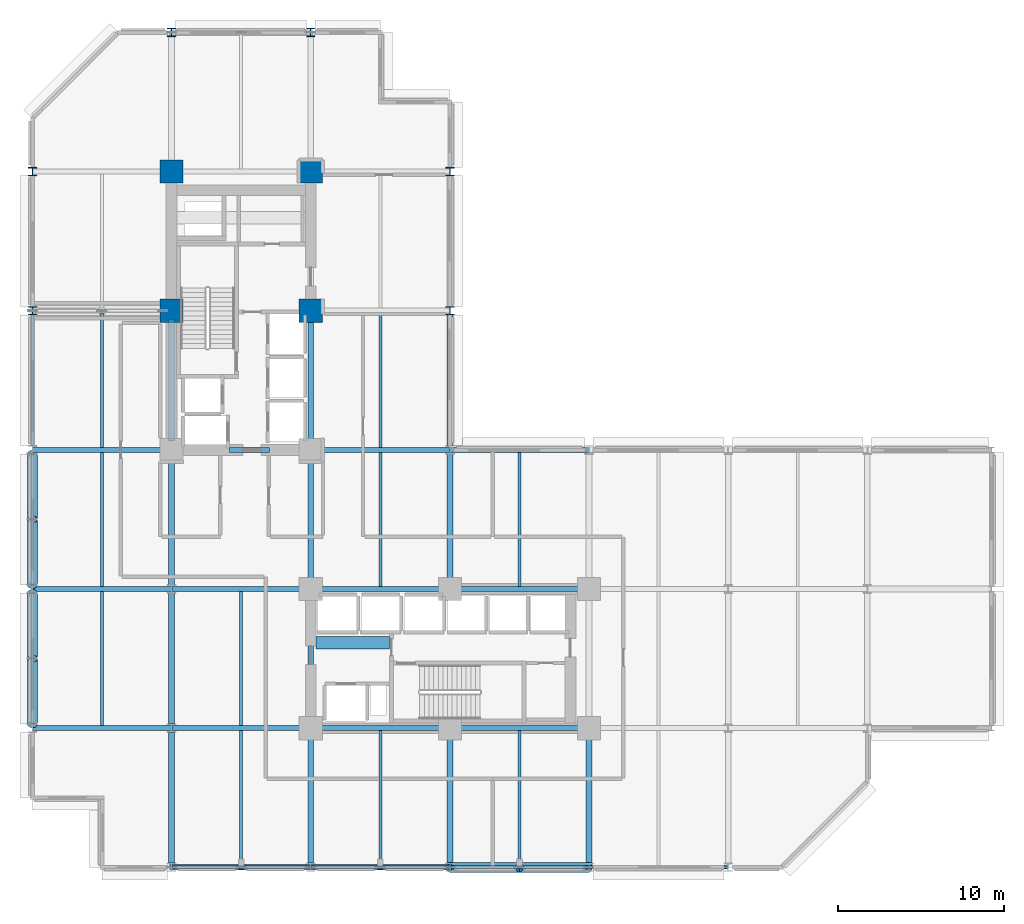
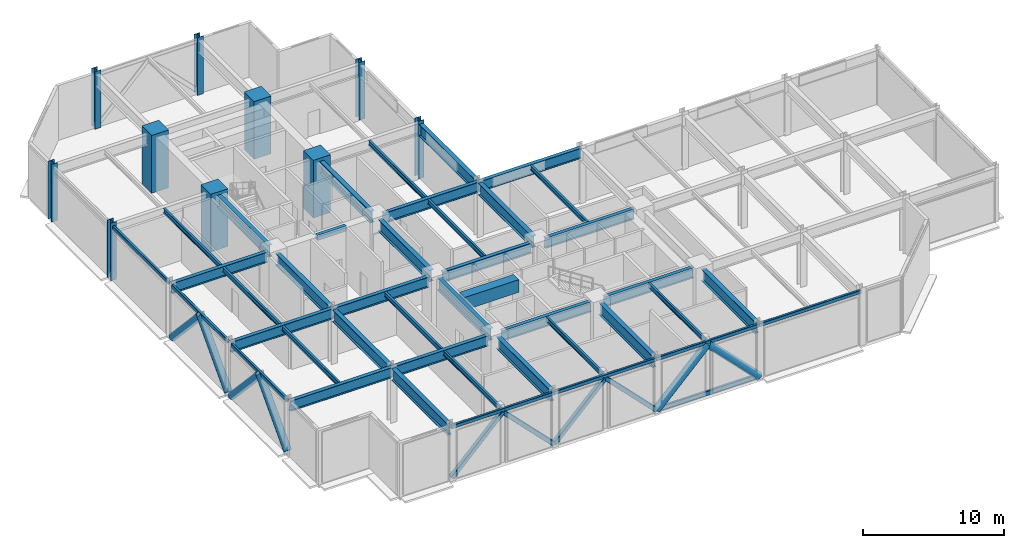
# One storey, part 3 of 13: 42 beams, 11 members, 10 columns.
"""IFC4 building model written with IfcOpenShell, lengths in metres."""

import ifcopenshell
import ifcopenshell.guid

model = None  # the IFC model being written
_history = None  # IfcOwnerHistory: only IFC2X3 demands one
_inside = {}  # id of a spatial element -> (the spatial element, [elements in it])
_under = {}  # id of a project, library or spatial element -> (it, [spatial elements below it])
_declared = {}  # id of a project -> (the project, [libraries it declares])
_typed = {}  # id of a type object -> (the type object, [elements of that type])
_made_of = {}  # id of a material, layer set ... -> (it, [elements and type objects made of it])


def new_model(schema):
    """Start an empty IFC model of exactly this schema.

    Asked for "IFC4X3", IfcOpenShell would pick the latest addendum, in which some entities
    have other attributes; the version numbers below select the first issue.
    IFC2X3 requires an IfcOwnerHistory on every rooted entity: one is made here for all.
    """
    global model, _history
    if schema == "IFC4X3":
        model = ifcopenshell.file(schema_version=(4, 3, 0, 0))
    else:
        model = ifcopenshell.file(schema=schema)
    _inside.clear()
    _under.clear()
    _declared.clear()
    _typed.clear()
    _made_of.clear()
    _history = None
    if model.schema == "IFC2X3":
        org = make("IfcOrganization", Name="unknown")
        user = make(
            "IfcPersonAndOrganization",
            ThePerson=make("IfcPerson", FamilyName="unknown"),
            TheOrganization=org,
        )
        app = make(
            "IfcApplication",
            ApplicationDeveloper=org,
            Version="unknown",
            ApplicationFullName="unknown",
            ApplicationIdentifier="unknown",
        )
        _history = make(
            "IfcOwnerHistory",
            OwningUser=user,
            OwningApplication=app,
            ChangeAction="ADDED",
            CreationDate=0,
        )
    return model


def make(cls, **values):
    """One entity of the class cls with the attributes given. An attribute that is None is left unset."""
    return model.create_entity(
        cls, **{name: value for name, value in values.items() if value is not None}
    )


def rooted(cls, **values):
    """An entity with a GlobalId (a new one), such as an element, a storey or a relation."""
    return make(cls, GlobalId=ifcopenshell.guid.new(), OwnerHistory=_history, **values)


def si_unit(unit_type, name, prefix=None):
    """IfcSIUnit, for example si_unit("LENGTHUNIT", "METRE", prefix="MILLI")."""
    return make("IfcSIUnit", UnitType=unit_type, Prefix=prefix, Name=name)


def assignment(units):
    """IfcUnitAssignment: the units of a project."""
    return None if units is None else make("IfcUnitAssignment", Units=units)


def point(xyz):
    """IfcCartesianPoint."""
    return None if xyz is None else make("IfcCartesianPoint", Coordinates=xyz)


def direction(xyz):
    """IfcDirection."""
    return None if xyz is None else make("IfcDirection", DirectionRatios=xyz)


def frame(location, z_axis=None, x_axis=None):
    """IfcAxis2Placement3D, a coordinate frame: its origin and axes. An axis left out is left unset."""
    return make(
        "IfcAxis2Placement3D",
        Location=point(location),
        Axis=direction(z_axis),
        RefDirection=direction(x_axis),
    )


def frame_2d(location, x_axis=None):
    """IfcAxis2Placement2D, a coordinate frame in the plane: its origin and x axis."""
    return make(
        "IfcAxis2Placement2D", Location=point(location), RefDirection=direction(x_axis)
    )


def origin():
    """The frame at (0, 0, 0) with its axes left unset."""
    return frame((0.0, 0.0, 0.0))


def origin_2d():
    """The frame at (0, 0) in the plane with its x axis left unset."""
    return frame_2d((0.0, 0.0))


def place(relative_to, where):
    """IfcLocalPlacement: puts the frame where relative to a parent placement (None: the world)."""
    return make(
        "IfcLocalPlacement", PlacementRelTo=relative_to, RelativePlacement=where
    )


def context(
    kind, dimensions, precision=None, world=None, true_north=None, identifier=None
):
    """IfcGeometricRepresentationContext, for example the 3D "Model" context."""
    return make(
        "IfcGeometricRepresentationContext",
        ContextIdentifier=identifier,
        ContextType=kind,
        CoordinateSpaceDimension=dimensions,
        Precision=precision,
        WorldCoordinateSystem=world,
        TrueNorth=true_north,
    )


def subcontext(parent, identifier, kind, view, scale=None):
    """IfcGeometricRepresentationSubContext, for example "Body" below "Model"."""
    return make(
        "IfcGeometricRepresentationSubContext",
        ContextIdentifier=identifier,
        ContextType=kind,
        ParentContext=parent,
        TargetScale=scale,
        TargetView=view,
    )


def project(units=None, contexts=None):
    """IfcProject with its units and contexts."""
    return rooted(
        "IfcProject",
        Name="project",
        RepresentationContexts=contexts,
        UnitsInContext=assignment(units),
    )


def spatial(cls, under=None, at=None, **own):
    """A site, building, storey or space (cls), placed at a placement, below another one or the project."""
    s = rooted(cls, ObjectPlacement=at, **own)
    if under is not None:
        _under.setdefault(under.id(), (under, []))[1].append(s)
    return s


def profile(cls, at=None, kind="AREA", **sizes):
    """A parametric profile (cls). Its sizes go by their IFC names, for example OverallWidth=200.0."""
    return make(cls, ProfileType=kind, Position=at, **sizes)


def rectangle(**sizes):
    """IfcRectangleProfileDef."""
    return profile("IfcRectangleProfileDef", **sizes)


def hollow_rectangle(**sizes):
    """IfcRectangleHollowProfileDef."""
    return profile("IfcRectangleHollowProfileDef", **sizes)


def hollow_circle(**sizes):
    """IfcCircleHollowProfileDef."""
    return profile("IfcCircleHollowProfileDef", **sizes)


def i_section(**sizes):
    """IfcIShapeProfileDef."""
    return profile("IfcIShapeProfileDef", **sizes)


def extrude(swept, where, along, depth):
    """IfcExtrudedAreaSolid: the profile swept, set in the frame where, extruded along a direction by depth."""
    return make(
        "IfcExtrudedAreaSolid",
        SweptArea=swept,
        Position=where,
        ExtrudedDirection=direction(along),
        Depth=depth,
    )


def shape(context_of_items, identifier, shape_type, items):
    """IfcShapeRepresentation: the items that make up one representation, for example the "Body"."""
    return make(
        "IfcShapeRepresentation",
        ContextOfItems=context_of_items,
        RepresentationIdentifier=identifier,
        RepresentationType=shape_type,
        Items=items,
    )


def material(Name=None, Category=None):
    """IfcMaterial."""
    return make("IfcMaterial", Name=Name, Category=Category)


def material_profile(
    of_material, cross_section, Name=None, Category=None, Priority=None
):
    """IfcMaterialProfile: a cross section and its material."""
    return make(
        "IfcMaterialProfile",
        Name=Name,
        Material=of_material,
        Profile=cross_section,
        Priority=Priority,
        Category=Category,
    )


def profile_set(profiles, Name=None, composite=None):
    """IfcMaterialProfileSet."""
    return make(
        "IfcMaterialProfileSet",
        Name=Name,
        MaterialProfiles=profiles,
        CompositeProfile=composite,
    )


def made_of(thing, what):
    """Note that an element or type object is made of a material, layer set ...; save() writes the relation."""
    if what is not None:
        _made_of.setdefault(what.id(), (what, []))[1].append(thing)
    return thing


def type_object(cls, material=None, **own):
    """A type object (cls), such as IfcWallType, which elements share."""
    return made_of(rooted(cls, **own), material)


def element(
    cls,
    number,
    at=None,
    inside=None,
    cuts=None,
    type_object=None,
    material=None,
    context=None,
    identifier="Body",
    shape_type=None,
    held_by="IfcProductDefinitionShape",
    body=None,
    shapes=None,
    **own,
):
    """One element of the class cls, such as IfcWall. Its Tag is "e" and its number.

    at: its placement. inside: the storey or other place that contains it. cuts: it is an
    opening in that element (IfcRelVoidsElement). A single representation is given by context,
    identifier, shape_type and body (its items); several are given by shapes. held_by: the class
    of the entity that holds the representations. save() writes the other relations.
    """
    e = rooted(cls, Tag="e%d" % number, ObjectPlacement=at, **own)
    if body is not None:
        shapes = [shape(context, identifier, shape_type, body)]
    if shapes is not None:
        e.Representation = make(held_by, Representations=shapes)
    if inside is not None:
        _inside.setdefault(inside.id(), (inside, []))[1].append(e)
    if cuts is not None:
        rooted(
            "IfcRelVoidsElement", RelatingBuildingElement=cuts, RelatedOpeningElement=e
        )
    if type_object is not None:
        _typed.setdefault(type_object.id(), (type_object, []))[1].append(e)
    return made_of(e, material)


def aggregate(whole, parts):
    """IfcRelAggregates: a whole, such as a stair, and the parts it consists of."""
    return rooted("IfcRelAggregates", RelatingObject=whole, RelatedObjects=parts)


def save(model, path):
    """Write the relations noted so far, then the file.

    IfcRelAggregates (storeys below a building ...), IfcRelContainedInSpatialStructure (elements
    in a storey), IfcRelDefinesByType, IfcRelAssociatesMaterial and IfcRelDeclares: one each for
    every whole, place, type object, material and project.
    """
    for whole, parts in _under.values():
        aggregate(whole, parts)
    for where, things in _inside.values():
        rooted(
            "IfcRelContainedInSpatialStructure",
            RelatedElements=things,
            RelatingStructure=where,
        )
    for kind, things in _typed.values():
        rooted("IfcRelDefinesByType", RelatedObjects=things, RelatingType=kind)
    for what, things in _made_of.values():
        rooted("IfcRelAssociatesMaterial", RelatedObjects=things, RelatingMaterial=what)
    for by, libraries in _declared.values():
        rooted("IfcRelDeclares", RelatingContext=by, RelatedDefinitions=libraries)
    model.write(path)


model = new_model("IFC4")

# Units and contexts
model_context = context("Model", 3, precision=1e-05, world=origin(), true_north=direction((0.0, 1.0)))
body_context = subcontext(model_context, "Body", "Model", "MODEL_VIEW")
ifc_project = project(units=[si_unit("LENGTHUNIT", "METRE"), si_unit("AREAUNIT", "SQUARE_METRE"), si_unit("VOLUMEUNIT", "CUBIC_METRE"), si_unit("PLANEANGLEUNIT", "RADIAN"), si_unit("MASSUNIT", "GRAM", prefix="KILO")], contexts=[model_context])

# Site, building, storey
site_placement = place(None, origin())
site = spatial("IfcSite", under=ifc_project, at=site_placement, CompositionType="ELEMENT")
building_placement = place(site_placement, origin())
building = spatial("IfcBuilding", under=site, at=building_placement, Name="Nerrivon Quay Data Exchange", CompositionType="ELEMENT")
storey_placement = place(building_placement, frame((0.0, 0.0, 79.39990234375)))
storey = spatial("IfcBuildingStorey", under=building, at=storey_placement, Name="L18", CompositionType="ELEMENT", Elevation=79.39990234375)

# Columns
ifc_material_1 = material(Name="Concrete N80 (80 MPa)", Category="concrete")
ifc_material_profile_1 = material_profile(ifc_material_1, rectangle(XDim=1.39990234375, YDim=1.39990234375, at=origin_2d()), Name="RC-COL-1400x1400")
ifc_profile_set_1 = profile_set([ifc_material_profile_1], Name="Concrete N80 (80 MPa)")
column_type_1 = type_object("IfcColumnType", Name="COL-C2-1400", PredefinedType="COLUMN", material=ifc_profile_set_1)
for number, where, z_axis, x_axis, name in (
    (1, (8.39990234375, 33.60009765625, 0.0), (0.0, 0.0, 1.0), (1.0, 0.0, 0.0), "L18 Column (8.4,33.6)"),
    (2, (8.39990234375, 42.0, 0.0), (0.0, 0.0, 1.0), (1.0, 0.0, 0.0), "L18 Column (8.4,42.0)"),
    (3, (16.800048828125, 33.60009765625, 0.0), (0.0, 0.0, 1.0), (1.0, 0.0, 0.0), "L18 Column (16.8,33.6)"),
    (4, (16.800048828125, 42.0, 0.0), (0.0, 0.0, 1.0), (1.0, 0.0, 0.0), "L18 Column (16.8,42.0)"),
):
    element("IfcColumn", number, at=place(storey_placement, frame(where, z_axis=z_axis, x_axis=x_axis)), inside=storey, type_object=column_type_1, Name=name, PredefinedType="COLUMN", context=body_context, shape_type="SweptSolid", body=[
        extrude(rectangle(XDim=1.39990234375, YDim=1.39990234375, at=origin_2d()), origin(), (0.0, 0.0, 1.0), 5.0),
    ])
ifc_material_2 = material(Name="Steel Grade 350", Category="steel")
ifc_material_profile_2 = material_profile(ifc_material_2, i_section(OverallWidth=0.5, OverallDepth=0.5, WebThickness=0.028076171875, FlangeThickness=0.0400390625, at=origin_2d()), Name="500WC440")
ifc_profile_set_2 = profile_set([ifc_material_profile_2], Name="Steel Grade 350")
column_type_2 = type_object("IfcColumnType", Name="COL-SC1-500WC", PredefinedType="COLUMN", material=ifc_profile_set_2)
for number, where, z_axis, x_axis, name in (
    (5, (0.0, 33.60009765625, 0.0), (0.0, 0.0, 1.0), (1.0, 0.0, 0.0), "L18 Column (0.0,33.6)"),
    (6, (0.0, 42.0, 0.0), (0.0, 0.0, 1.0), (1.0, 0.0, 0.0), "L18 Column (0.0,42.0)"),
    (7, (8.39990234375, 50.39990234375, 0.0), (0.0, 0.0, 1.0), (1.0, 0.0, 0.0), "L18 Column (8.4,50.4)"),
    (8, (16.800048828125, 50.39990234375, 0.0), (0.0, 0.0, 1.0), (1.0, 0.0, 0.0), "L18 Column (16.8,50.4)"),
    (9, (25.199951171875, 33.60009765625, 0.0), (0.0, 0.0, 1.0), (1.0, 0.0, 0.0), "L18 Column (25.2,33.6)"),
    (10, (25.199951171875, 42.0, 0.0), (0.0, 0.0, 1.0), (1.0, 0.0, 0.0), "L18 Column (25.2,42.0)"),
):
    element("IfcColumn", number, at=place(storey_placement, frame(where, z_axis=z_axis, x_axis=x_axis)), inside=storey, type_object=column_type_2, Name=name, PredefinedType="COLUMN", context=body_context, shape_type="SweptSolid", body=[
        extrude(i_section(OverallWidth=0.5, OverallDepth=0.5, WebThickness=0.028076171875, FlangeThickness=0.0400390625, at=origin_2d()), origin(), (0.0, 0.0, 1.0), 5.0),
    ])

# Beams
ifc_material_3 = material(Name="Concrete S65 (65 MPa)", Category="concrete")
ifc_material_profile_3 = material_profile(ifc_material_3, rectangle(XDim=0.75, YDim=1.10009765625, at=origin_2d()), Name="RC-CB-750x1100")
ifc_profile_set_3 = profile_set([ifc_material_profile_3], Name="Concrete S65 (65 MPa)")
beam_type_1 = type_object("IfcBeamType", Name="BM-CB1-750x1100", PredefinedType="LINTEL", material=ifc_profile_set_3)
beam_1_placement = place(storey_placement, frame((17.125, 13.550048828125, 4.175048828125), z_axis=(1.0, 0.0, 0.0), x_axis=(0.0, 1.0, 0.0)))
element("IfcBeam", 11, at=beam_1_placement, inside=storey, type_object=beam_type_1, Name="L18 East Core Coupling Beam", PredefinedType="LINTEL", context=body_context, shape_type="SweptSolid", body=[
    extrude(rectangle(XDim=0.75, YDim=1.10009765625, at=origin_2d()), origin(), (0.0, 0.0, 1.0), 4.429931640625),
])
ifc_material_profile_4 = material_profile(ifc_material_2, i_section(OverallWidth=0.177978515625, OverallDepth=0.403076171875, WebThickness=0.007568359375, FlangeThickness=0.010986328125, FilletRadius=0.011474609375, at=origin_2d()), Name="410UB53.7")
ifc_profile_set_4 = profile_set([ifc_material_profile_4], Name="Steel Grade 350")
beam_type_2 = type_object("IfcBeamType", Name="BM-J2-410UB54", PredefinedType="JOIST", material=ifc_profile_set_4)
beam_2_placement = place(storey_placement, frame((4.199951171875, 8.550048828125, 4.523681640625), z_axis=(0.0, 1.0, 0.0), x_axis=(-1.0, 0.0, 0.0)))
element("IfcBeam", 12, at=beam_2_placement, inside=storey, type_object=beam_type_2, Name="L18 Secondary Joist X=4.2 (8.4..16.8)", PredefinedType="JOIST", context=body_context, shape_type="SweptSolid", body=[
    extrude(i_section(OverallWidth=0.177978515625, OverallDepth=0.403076171875, WebThickness=0.007568359375, FlangeThickness=0.010986328125, FilletRadius=0.011474609375, at=origin_2d()), origin(), (0.0, 0.0, 1.0), 8.099853515625),
])
beam_3_placement = place(storey_placement, frame((4.199951171875, 16.949951171875, 4.523681640625), z_axis=(0.0, 1.0, 0.0), x_axis=(-1.0, 0.0, 0.0)))
element("IfcBeam", 13, at=beam_3_placement, inside=storey, type_object=beam_type_2, Name="L18 Secondary Joist X=4.2 (16.8..25.2)", PredefinedType="JOIST", context=body_context, shape_type="SweptSolid", body=[
    extrude(i_section(OverallWidth=0.177978515625, OverallDepth=0.403076171875, WebThickness=0.007568359375, FlangeThickness=0.010986328125, FilletRadius=0.011474609375, at=origin_2d()), origin(), (0.0, 0.0, 1.0), 8.10009765625),
])
beam_4_placement = place(storey_placement, frame((4.199951171875, 25.35009765625, 4.523681640625), z_axis=(0.0, 1.0, 0.0), x_axis=(-1.0, 0.0, 0.0)))
element("IfcBeam", 14, at=beam_4_placement, inside=storey, type_object=beam_type_2, Name="L18 Secondary Joist X=4.2 (25.2..33.6)", PredefinedType="JOIST", context=body_context, shape_type="SweptSolid", body=[
    extrude(i_section(OverallWidth=0.177978515625, OverallDepth=0.403076171875, WebThickness=0.007568359375, FlangeThickness=0.010986328125, FilletRadius=0.011474609375, at=origin_2d()), origin(), (0.0, 0.0, 1.0), 8.099853515625),
])
beam_5_placement = place(storey_placement, frame((12.60009765625, 0.10009765625, 4.523681640625), z_axis=(0.0, 1.0, 0.0), x_axis=(-1.0, 0.0, 0.0)))
element("IfcBeam", 15, at=beam_5_placement, inside=storey, type_object=beam_type_2, Name="L18 Secondary Joist X=12.6 (0.0..8.4)", PredefinedType="JOIST", context=body_context, shape_type="SweptSolid", body=[
    extrude(i_section(OverallWidth=0.177978515625, OverallDepth=0.403076171875, WebThickness=0.007568359375, FlangeThickness=0.010986328125, FilletRadius=0.011474609375, at=origin_2d()), origin(), (0.0, 0.0, 1.0), 8.14990234375),
])
beam_6_placement = place(storey_placement, frame((12.60009765625, 8.550048828125, 4.523681640625), z_axis=(0.0, 1.0, 0.0), x_axis=(-1.0, 0.0, 0.0)))
element("IfcBeam", 16, at=beam_6_placement, inside=storey, type_object=beam_type_2, Name="L18 Secondary Joist X=12.6 (8.4..16.8)", PredefinedType="JOIST", context=body_context, shape_type="SweptSolid", body=[
    extrude(i_section(OverallWidth=0.177978515625, OverallDepth=0.403076171875, WebThickness=0.007568359375, FlangeThickness=0.010986328125, FilletRadius=0.011474609375, at=origin_2d()), origin(), (0.0, 0.0, 1.0), 8.099853515625),
])
beam_7_placement = place(storey_placement, frame((21.0, 0.10009765625, 4.523681640625), z_axis=(0.0, 1.0, 0.0), x_axis=(-1.0, 0.0, 0.0)))
element("IfcBeam", 17, at=beam_7_placement, inside=storey, type_object=beam_type_2, Name="L18 Secondary Joist X=21.0 (0.0..8.4)", PredefinedType="JOIST", context=body_context, shape_type="SweptSolid", body=[
    extrude(i_section(OverallWidth=0.177978515625, OverallDepth=0.403076171875, WebThickness=0.007568359375, FlangeThickness=0.010986328125, FilletRadius=0.011474609375, at=origin_2d()), origin(), (0.0, 0.0, 1.0), 8.14990234375),
])
beam_8_placement = place(storey_placement, frame((21.0, 16.949951171875, 4.523681640625), z_axis=(0.0, 1.0, 0.0), x_axis=(-1.0, 0.0, 0.0)))
element("IfcBeam", 18, at=beam_8_placement, inside=storey, type_object=beam_type_2, Name="L18 Secondary Joist X=21.0 (16.8..25.2)", PredefinedType="JOIST", context=body_context, shape_type="SweptSolid", body=[
    extrude(i_section(OverallWidth=0.177978515625, OverallDepth=0.403076171875, WebThickness=0.007568359375, FlangeThickness=0.010986328125, FilletRadius=0.011474609375, at=origin_2d()), origin(), (0.0, 0.0, 1.0), 8.10009765625),
])
beam_9_placement = place(storey_placement, frame((21.0, 25.35009765625, 4.523681640625), z_axis=(0.0, 1.0, 0.0), x_axis=(-1.0, 0.0, 0.0)))
element("IfcBeam", 19, at=beam_9_placement, inside=storey, type_object=beam_type_2, Name="L18 Secondary Joist X=21.0 (25.2..33.6)", PredefinedType="JOIST", context=body_context, shape_type="SweptSolid", body=[
    extrude(i_section(OverallWidth=0.177978515625, OverallDepth=0.403076171875, WebThickness=0.007568359375, FlangeThickness=0.010986328125, FilletRadius=0.011474609375, at=origin_2d()), origin(), (0.0, 0.0, 1.0), 8.099853515625),
])
beam_10_placement = place(storey_placement, frame((29.39990234375, 0.10009765625, 4.523681640625), z_axis=(0.0, 1.0, 0.0), x_axis=(-1.0, 0.0, 0.0)))
element("IfcBeam", 20, at=beam_10_placement, inside=storey, type_object=beam_type_2, Name="L18 Secondary Joist X=29.4 (0.0..8.4)", PredefinedType="JOIST", context=body_context, shape_type="SweptSolid", body=[
    extrude(i_section(OverallWidth=0.177978515625, OverallDepth=0.403076171875, WebThickness=0.007568359375, FlangeThickness=0.010986328125, FilletRadius=0.011474609375, at=origin_2d()), origin(), (0.0, 0.0, 1.0), 8.14990234375),
])
beam_11_placement = place(storey_placement, frame((29.39990234375, 16.949951171875, 4.523681640625), z_axis=(0.0, 1.0, 0.0), x_axis=(-1.0, 0.0, 0.0)))
element("IfcBeam", 21, at=beam_11_placement, inside=storey, type_object=beam_type_2, Name="L18 Secondary Joist X=29.4 (16.8..25.2)", PredefinedType="JOIST", context=body_context, shape_type="SweptSolid", body=[
    extrude(i_section(OverallWidth=0.177978515625, OverallDepth=0.403076171875, WebThickness=0.007568359375, FlangeThickness=0.010986328125, FilletRadius=0.011474609375, at=origin_2d()), origin(), (0.0, 0.0, 1.0), 8.10009765625),
])
ifc_material_4 = material(Name="Concrete N50 (50 MPa)", Category="concrete")
ifc_material_profile_5 = material_profile(ifc_material_4, rectangle(XDim=0.300048828125, YDim=0.449951171875, at=origin_2d()), Name="RC-LNT-300x450")
ifc_profile_set_5 = profile_set([ifc_material_profile_5], Name="Concrete N50 (50 MPa)")
beam_type_3 = type_object("IfcBeamType", Name="BM-LNT-300x450", PredefinedType="LINTEL", material=ifc_profile_set_5)
beam_12_placement = place(storey_placement, frame((11.89990234375, 25.199951171875, 4.5), z_axis=(1.0, 0.0, 0.0), x_axis=(0.0, 1.0, 0.0)))
element("IfcBeam", 22, at=beam_12_placement, inside=storey, type_object=beam_type_3, Name="L18 Core Threshold RC Lintel", PredefinedType="LINTEL", context=body_context, shape_type="SweptSolid", body=[
    extrude(rectangle(XDim=0.300048828125, YDim=0.449951171875, at=origin_2d()), origin(), (0.0, 0.0, 1.0), 2.400146484375),
])
ifc_material_profile_6 = material_profile(ifc_material_2, i_section(OverallWidth=0.300048828125, OverallDepth=0.89990234375, WebThickness=0.011962890625, FlangeThickness=0.02001953125, at=origin_2d()), Name="900WB175")
ifc_profile_set_6 = profile_set([ifc_material_profile_6], Name="Steel Grade 350")
beam_type_4 = type_object("IfcBeamType", Name="BM-OUT-900WB175", PredefinedType="BEAM", material=ifc_profile_set_6)
beam_13_placement = place(storey_placement, frame((0.013916015625, 8.39990234375, 4.275146484375), z_axis=(1.0, 0.0, 0.0), x_axis=(0.0, 1.0, 0.0)))
element("IfcBeam", 23, at=beam_13_placement, inside=storey, type_object=beam_type_4, Name="L18 EW Girder Y=8.4 (0.0..8.4)", PredefinedType="BEAM", context=body_context, shape_type="SweptSolid", body=[
    extrude(i_section(OverallWidth=0.300048828125, OverallDepth=0.89990234375, WebThickness=0.011962890625, FlangeThickness=0.02001953125, at=origin_2d()), origin(), (0.0, 0.0, 1.0), 8.3720703125),
])
beam_14_placement = place(storey_placement, frame((8.4140625, 8.39990234375, 4.275146484375), z_axis=(1.0, 0.0, 0.0), x_axis=(0.0, 1.0, 0.0)))
element("IfcBeam", 24, at=beam_14_placement, inside=storey, type_object=beam_type_4, Name="L18 EW Girder Y=8.4 (8.4..16.8)", PredefinedType="BEAM", context=body_context, shape_type="SweptSolid", body=[
    extrude(i_section(OverallWidth=0.300048828125, OverallDepth=0.89990234375, WebThickness=0.011962890625, FlangeThickness=0.02001953125, at=origin_2d()), origin(), (0.0, 0.0, 1.0), 7.845947265625),
])
beam_15_placement = place(storey_placement, frame((17.340087890625, 8.39990234375, 4.275146484375), z_axis=(1.0, 0.0, 0.0), x_axis=(0.0, 1.0, 0.0)))
element("IfcBeam", 25, at=beam_15_placement, inside=storey, type_object=beam_type_4, Name="L18 EW Girder Y=8.4 (16.8..25.2)", PredefinedType="BEAM", context=body_context, shape_type="SweptSolid", body=[
    extrude(i_section(OverallWidth=0.300048828125, OverallDepth=0.89990234375, WebThickness=0.011962890625, FlangeThickness=0.02001953125, at=origin_2d()), origin(), (0.0, 0.0, 1.0), 7.31982421875),
])
beam_16_placement = place(storey_placement, frame((25.739990234375, 8.39990234375, 4.275146484375), z_axis=(1.0, 0.0, 0.0), x_axis=(0.0, 1.0, 0.0)))
element("IfcBeam", 26, at=beam_16_placement, inside=storey, type_object=beam_type_4, Name="L18 EW Girder Y=8.4 (25.2..33.6)", PredefinedType="BEAM", context=body_context, shape_type="SweptSolid", body=[
    extrude(i_section(OverallWidth=0.300048828125, OverallDepth=0.89990234375, WebThickness=0.011962890625, FlangeThickness=0.02001953125, at=origin_2d()), origin(), (0.0, 0.0, 1.0), 7.320068359375),
])
beam_17_placement = place(storey_placement, frame((0.013916015625, 16.800048828125, 4.275146484375), z_axis=(1.0, 0.0, 0.0), x_axis=(0.0, 1.0, 0.0)))
element("IfcBeam", 27, at=beam_17_placement, inside=storey, type_object=beam_type_4, Name="L18 EW Girder Y=16.8 (0.0..8.4)", PredefinedType="BEAM", context=body_context, shape_type="SweptSolid", body=[
    extrude(i_section(OverallWidth=0.300048828125, OverallDepth=0.89990234375, WebThickness=0.011962890625, FlangeThickness=0.02001953125, at=origin_2d()), origin(), (0.0, 0.0, 1.0), 8.3720703125),
])
beam_18_placement = place(storey_placement, frame((8.4140625, 16.800048828125, 4.275146484375), z_axis=(1.0, 0.0, 0.0), x_axis=(0.0, 1.0, 0.0)))
element("IfcBeam", 28, at=beam_18_placement, inside=storey, type_object=beam_type_4, Name="L18 EW Girder Y=16.8 (8.4..16.8)", PredefinedType="BEAM", context=body_context, shape_type="SweptSolid", body=[
    extrude(i_section(OverallWidth=0.300048828125, OverallDepth=0.89990234375, WebThickness=0.011962890625, FlangeThickness=0.02001953125, at=origin_2d()), origin(), (0.0, 0.0, 1.0), 7.845947265625),
])
beam_19_placement = place(storey_placement, frame((17.340087890625, 16.800048828125, 4.275146484375), z_axis=(1.0, 0.0, 0.0), x_axis=(0.0, 1.0, 0.0)))
element("IfcBeam", 29, at=beam_19_placement, inside=storey, type_object=beam_type_4, Name="L18 EW Girder Y=16.8 (16.8..25.2)", PredefinedType="BEAM", context=body_context, shape_type="SweptSolid", body=[
    extrude(i_section(OverallWidth=0.300048828125, OverallDepth=0.89990234375, WebThickness=0.011962890625, FlangeThickness=0.02001953125, at=origin_2d()), origin(), (0.0, 0.0, 1.0), 7.31982421875),
])
beam_20_placement = place(storey_placement, frame((25.739990234375, 16.800048828125, 4.275146484375), z_axis=(1.0, 0.0, 0.0), x_axis=(0.0, 1.0, 0.0)))
element("IfcBeam", 30, at=beam_20_placement, inside=storey, type_object=beam_type_4, Name="L18 EW Girder Y=16.8 (25.2..33.6)", PredefinedType="BEAM", context=body_context, shape_type="SweptSolid", body=[
    extrude(i_section(OverallWidth=0.300048828125, OverallDepth=0.89990234375, WebThickness=0.011962890625, FlangeThickness=0.02001953125, at=origin_2d()), origin(), (0.0, 0.0, 1.0), 7.320068359375),
])
beam_21_placement = place(storey_placement, frame((0.013916015625, 25.199951171875, 4.275146484375), z_axis=(1.0, 0.0, 0.0), x_axis=(0.0, 1.0, 0.0)))
element("IfcBeam", 31, at=beam_21_placement, inside=storey, type_object=beam_type_4, Name="L18 EW Girder Y=25.2 (0.0..8.4)", PredefinedType="BEAM", context=body_context, shape_type="SweptSolid", body=[
    extrude(i_section(OverallWidth=0.300048828125, OverallDepth=0.89990234375, WebThickness=0.011962890625, FlangeThickness=0.02001953125, at=origin_2d()), origin(), (0.0, 0.0, 1.0), 7.84619140625),
])
beam_22_placement = place(storey_placement, frame((17.340087890625, 25.199951171875, 4.275146484375), z_axis=(1.0, 0.0, 0.0), x_axis=(0.0, 1.0, 0.0)))
element("IfcBeam", 32, at=beam_22_placement, inside=storey, type_object=beam_type_4, Name="L18 EW Girder Y=25.2 (16.8..25.2)", PredefinedType="BEAM", context=body_context, shape_type="SweptSolid", body=[
    extrude(i_section(OverallWidth=0.300048828125, OverallDepth=0.89990234375, WebThickness=0.011962890625, FlangeThickness=0.02001953125, at=origin_2d()), origin(), (0.0, 0.0, 1.0), 7.845947265625),
])
beam_23_placement = place(storey_placement, frame((25.214111328125, 25.199951171875, 4.275146484375), z_axis=(1.0, 0.0, 0.0), x_axis=(0.0, 1.0, 0.0)))
element("IfcBeam", 33, at=beam_23_placement, inside=storey, type_object=beam_type_4, Name="L18 EW Girder Y=25.2 (25.2..33.6)", PredefinedType="BEAM", context=body_context, shape_type="SweptSolid", body=[
    extrude(i_section(OverallWidth=0.300048828125, OverallDepth=0.89990234375, WebThickness=0.011962890625, FlangeThickness=0.02001953125, at=origin_2d()), origin(), (0.0, 0.0, 1.0), 8.371826171875),
])
ifc_material_5 = material(Name="Steel Grade C350L0 (350 MPa)", Category="steel")
ifc_material_profile_7 = material_profile(ifc_material_5, hollow_rectangle(XDim=0.199951171875, YDim=0.300048828125, WallThickness=0.012451171875, InnerFilletRadius=0.018798828125, OuterFilletRadius=0.03125, at=origin_2d()), Name="300x200x12.5RHS")
ifc_profile_set_7 = profile_set([ifc_material_profile_7], Name="Steel Grade C350L0 (350 MPa)")
beam_type_5 = type_object("IfcBeamType", Name="BM-SP3-300x200RHS", PredefinedType="SPANDREL", material=ifc_profile_set_7)
beam_24_placement = place(storey_placement, frame((8.4140625, 0.0, 4.5751953125), z_axis=(1.0, 0.0, 0.0), x_axis=(0.0, 1.0, 0.0)))
element("IfcBeam", 34, at=beam_24_placement, inside=storey, type_object=beam_type_5, Name="L18 EW Girder Y=0.0 (8.4..16.8)", PredefinedType="SPANDREL", context=body_context, shape_type="SweptSolid", body=[
    extrude(hollow_rectangle(XDim=0.199951171875, YDim=0.300048828125, WallThickness=0.012451171875, InnerFilletRadius=0.018798828125, OuterFilletRadius=0.03125, at=origin_2d()), origin(), (0.0, 0.0, 1.0), 8.371826171875),
])
beam_25_placement = place(storey_placement, frame((16.81396484375, 0.0, 4.5751953125), z_axis=(1.0, 0.0, 0.0), x_axis=(0.0, 1.0, 0.0)))
element("IfcBeam", 35, at=beam_25_placement, inside=storey, type_object=beam_type_5, Name="L18 EW Girder Y=0.0 (16.8..25.2)", PredefinedType="SPANDREL", context=body_context, shape_type="SweptSolid", body=[
    extrude(hollow_rectangle(XDim=0.199951171875, YDim=0.300048828125, WallThickness=0.012451171875, InnerFilletRadius=0.018798828125, OuterFilletRadius=0.03125, at=origin_2d()), origin(), (0.0, 0.0, 1.0), 8.3720703125),
])
beam_26_placement = place(storey_placement, frame((25.214111328125, 0.0, 4.5751953125), z_axis=(1.0, 0.0, 0.0), x_axis=(0.0, 1.0, 0.0)))
element("IfcBeam", 36, at=beam_26_placement, inside=storey, type_object=beam_type_5, Name="L18 EW Girder Y=0.0 (25.2..33.6)", PredefinedType="SPANDREL", context=body_context, shape_type="SweptSolid", body=[
    extrude(hollow_rectangle(XDim=0.199951171875, YDim=0.300048828125, WallThickness=0.012451171875, InnerFilletRadius=0.018798828125, OuterFilletRadius=0.03125, at=origin_2d()), origin(), (0.0, 0.0, 1.0), 8.371826171875),
])
beam_27_placement = place(storey_placement, frame((33.614013671875, 0.0, 4.5751953125), z_axis=(1.0, 0.0, 0.0), x_axis=(0.0, 1.0, 0.0)))
element("IfcBeam", 37, at=beam_27_placement, inside=storey, type_object=beam_type_5, Name="L18 EW Girder Y=0.0 (33.6..42.0)", PredefinedType="SPANDREL", context=body_context, shape_type="SweptSolid", body=[
    extrude(hollow_rectangle(XDim=0.199951171875, YDim=0.300048828125, WallThickness=0.012451171875, InnerFilletRadius=0.018798828125, OuterFilletRadius=0.03125, at=origin_2d()), origin(), (0.0, 0.0, 1.0), 8.3720703125),
])
beam_28_placement = place(storey_placement, frame((0.0, 8.64990234375, 4.5751953125), z_axis=(0.0, 1.0, 0.0), x_axis=(-1.0, 0.0, 0.0)))
element("IfcBeam", 38, at=beam_28_placement, inside=storey, type_object=beam_type_5, Name="L18 NS Girder X=0.0 (8.4..16.8)", PredefinedType="SPANDREL", context=body_context, shape_type="SweptSolid", body=[
    extrude(hollow_rectangle(XDim=0.199951171875, YDim=0.300048828125, WallThickness=0.012451171875, InnerFilletRadius=0.018798828125, OuterFilletRadius=0.03125, at=origin_2d()), origin(), (0.0, 0.0, 1.0), 7.900146484375),
])
beam_29_placement = place(storey_placement, frame((0.0, 17.050048828125, 4.5751953125), z_axis=(0.0, 1.0, 0.0), x_axis=(-1.0, 0.0, 0.0)))
element("IfcBeam", 39, at=beam_29_placement, inside=storey, type_object=beam_type_5, Name="L18 NS Girder X=0.0 (16.8..25.2)", PredefinedType="SPANDREL", context=body_context, shape_type="SweptSolid", body=[
    extrude(hollow_rectangle(XDim=0.199951171875, YDim=0.300048828125, WallThickness=0.012451171875, InnerFilletRadius=0.018798828125, OuterFilletRadius=0.03125, at=origin_2d()), origin(), (0.0, 0.0, 1.0), 7.89990234375),
])
beam_30_placement = place(storey_placement, frame((0.0, 25.449951171875, 4.5751953125), z_axis=(0.0, 1.0, 0.0), x_axis=(-1.0, 0.0, 0.0)))
element("IfcBeam", 40, at=beam_30_placement, inside=storey, type_object=beam_type_5, Name="L18 NS Girder X=0.0 (25.2..33.6)", PredefinedType="SPANDREL", context=body_context, shape_type="SweptSolid", body=[
    extrude(hollow_rectangle(XDim=0.199951171875, YDim=0.300048828125, WallThickness=0.012451171875, InnerFilletRadius=0.018798828125, OuterFilletRadius=0.03125, at=origin_2d()), origin(), (0.0, 0.0, 1.0), 7.900146484375),
])
ifc_material_profile_8 = material_profile(ifc_material_2, i_section(OverallWidth=0.35009765625, OverallDepth=1.01611328125, WebThickness=0.01611328125, FlangeThickness=0.028076171875, at=origin_2d()), Name="1000WB258")
ifc_profile_set_8 = profile_set([ifc_material_profile_8], Name="Steel Grade 350")
beam_type_6 = type_object("IfcBeamType", Name="BM-TG3-1000WB", PredefinedType="USERDEFINED", material=ifc_profile_set_8)
beam_31_placement = place(storey_placement, frame((8.39990234375, 0.25, 4.217041015625), z_axis=(0.0, 1.0, 0.0), x_axis=(-1.0, 0.0, 0.0)))
element("IfcBeam", 41, at=beam_31_placement, inside=storey, type_object=beam_type_6, Name="L18 NS Girder X=8.4 (0.0..8.4)", ObjectType="TRANSFER", PredefinedType="USERDEFINED", context=body_context, shape_type="SweptSolid", body=[
    extrude(i_section(OverallWidth=0.35009765625, OverallDepth=1.01611328125, WebThickness=0.01611328125, FlangeThickness=0.028076171875, at=origin_2d()), origin(), (0.0, 0.0, 1.0), 7.89990234375),
])
beam_32_placement = place(storey_placement, frame((8.39990234375, 8.64990234375, 4.217041015625), z_axis=(0.0, 1.0, 0.0), x_axis=(-1.0, 0.0, 0.0)))
element("IfcBeam", 42, at=beam_32_placement, inside=storey, type_object=beam_type_6, Name="L18 NS Girder X=8.4 (8.4..16.8)", ObjectType="TRANSFER", PredefinedType="USERDEFINED", context=body_context, shape_type="SweptSolid", body=[
    extrude(i_section(OverallWidth=0.35009765625, OverallDepth=1.01611328125, WebThickness=0.01611328125, FlangeThickness=0.028076171875, at=origin_2d()), origin(), (0.0, 0.0, 1.0), 7.900146484375),
])
beam_33_placement = place(storey_placement, frame((8.39990234375, 17.050048828125, 4.217041015625), z_axis=(0.0, 1.0, 0.0), x_axis=(-1.0, 0.0, 0.0)))
element("IfcBeam", 43, at=beam_33_placement, inside=storey, type_object=beam_type_6, Name="L18 NS Girder X=8.4 (16.8..25.2)", ObjectType="TRANSFER", PredefinedType="USERDEFINED", context=body_context, shape_type="SweptSolid", body=[
    extrude(i_section(OverallWidth=0.35009765625, OverallDepth=1.01611328125, WebThickness=0.01611328125, FlangeThickness=0.028076171875, at=origin_2d()), origin(), (0.0, 0.0, 1.0), 7.60986328125),
])
beam_34_placement = place(storey_placement, frame((8.39990234375, 25.739990234375, 4.217041015625), z_axis=(0.0, 1.0, 0.0), x_axis=(-1.0, 0.0, 0.0)))
element("IfcBeam", 44, at=beam_34_placement, inside=storey, type_object=beam_type_6, Name="L18 NS Girder X=8.4 (25.2..33.6)", ObjectType="TRANSFER", PredefinedType="USERDEFINED", context=body_context, shape_type="SweptSolid", body=[
    extrude(i_section(OverallWidth=0.35009765625, OverallDepth=1.01611328125, WebThickness=0.01611328125, FlangeThickness=0.028076171875, at=origin_2d()), origin(), (0.0, 0.0, 1.0), 7.320068359375),
])
beam_35_placement = place(storey_placement, frame((16.800048828125, 0.25, 4.217041015625), z_axis=(0.0, 1.0, 0.0), x_axis=(-1.0, 0.0, 0.0)))
element("IfcBeam", 45, at=beam_35_placement, inside=storey, type_object=beam_type_6, Name="L18 NS Girder X=16.8 (0.0..8.4)", ObjectType="TRANSFER", PredefinedType="USERDEFINED", context=body_context, shape_type="SweptSolid", body=[
    extrude(i_section(OverallWidth=0.35009765625, OverallDepth=1.01611328125, WebThickness=0.01611328125, FlangeThickness=0.028076171875, at=origin_2d()), origin(), (0.0, 0.0, 1.0), 7.610107421875),
])
beam_36_placement = place(storey_placement, frame((16.800048828125, 8.93994140625, 4.217041015625), z_axis=(0.0, 1.0, 0.0), x_axis=(-1.0, 0.0, 0.0)))
element("IfcBeam", 46, at=beam_36_placement, inside=storey, type_object=beam_type_6, Name="L18 NS Girder X=16.8 (8.4..16.8)", ObjectType="TRANSFER", PredefinedType="USERDEFINED", context=body_context, shape_type="SweptSolid", body=[
    extrude(i_section(OverallWidth=0.35009765625, OverallDepth=1.01611328125, WebThickness=0.01611328125, FlangeThickness=0.028076171875, at=origin_2d()), origin(), (0.0, 0.0, 1.0), 7.320068359375),
])
beam_37_placement = place(storey_placement, frame((16.800048828125, 17.340087890625, 4.217041015625), z_axis=(0.0, 1.0, 0.0), x_axis=(-1.0, 0.0, 0.0)))
element("IfcBeam", 47, at=beam_37_placement, inside=storey, type_object=beam_type_6, Name="L18 NS Girder X=16.8 (16.8..25.2)", ObjectType="TRANSFER", PredefinedType="USERDEFINED", context=body_context, shape_type="SweptSolid", body=[
    extrude(i_section(OverallWidth=0.35009765625, OverallDepth=1.01611328125, WebThickness=0.01611328125, FlangeThickness=0.028076171875, at=origin_2d()), origin(), (0.0, 0.0, 1.0), 7.31982421875),
])
beam_38_placement = place(storey_placement, frame((16.800048828125, 25.739990234375, 4.217041015625), z_axis=(0.0, 1.0, 0.0), x_axis=(-1.0, 0.0, 0.0)))
element("IfcBeam", 48, at=beam_38_placement, inside=storey, type_object=beam_type_6, Name="L18 NS Girder X=16.8 (25.2..33.6)", ObjectType="TRANSFER", PredefinedType="USERDEFINED", context=body_context, shape_type="SweptSolid", body=[
    extrude(i_section(OverallWidth=0.35009765625, OverallDepth=1.01611328125, WebThickness=0.01611328125, FlangeThickness=0.028076171875, at=origin_2d()), origin(), (0.0, 0.0, 1.0), 7.320068359375),
])
beam_39_placement = place(storey_placement, frame((25.199951171875, 0.25, 4.217041015625), z_axis=(0.0, 1.0, 0.0), x_axis=(-1.0, 0.0, 0.0)))
element("IfcBeam", 49, at=beam_39_placement, inside=storey, type_object=beam_type_6, Name="L18 NS Girder X=25.2 (0.0..8.4)", ObjectType="TRANSFER", PredefinedType="USERDEFINED", context=body_context, shape_type="SweptSolid", body=[
    extrude(i_section(OverallWidth=0.35009765625, OverallDepth=1.01611328125, WebThickness=0.01611328125, FlangeThickness=0.028076171875, at=origin_2d()), origin(), (0.0, 0.0, 1.0), 7.610107421875),
])
beam_40_placement = place(storey_placement, frame((25.199951171875, 17.340087890625, 4.217041015625), z_axis=(0.0, 1.0, 0.0), x_axis=(-1.0, 0.0, 0.0)))
element("IfcBeam", 50, at=beam_40_placement, inside=storey, type_object=beam_type_6, Name="L18 NS Girder X=25.2 (16.8..25.2)", ObjectType="TRANSFER", PredefinedType="USERDEFINED", context=body_context, shape_type="SweptSolid", body=[
    extrude(i_section(OverallWidth=0.35009765625, OverallDepth=1.01611328125, WebThickness=0.01611328125, FlangeThickness=0.028076171875, at=origin_2d()), origin(), (0.0, 0.0, 1.0), 7.60986328125),
])
beam_41_placement = place(storey_placement, frame((25.199951171875, 25.449951171875, 4.217041015625), z_axis=(0.0, 1.0, 0.0), x_axis=(-1.0, 0.0, 0.0)))
element("IfcBeam", 51, at=beam_41_placement, inside=storey, type_object=beam_type_6, Name="L18 NS Girder X=25.2 (25.2..33.6)", ObjectType="TRANSFER", PredefinedType="USERDEFINED", context=body_context, shape_type="SweptSolid", body=[
    extrude(i_section(OverallWidth=0.35009765625, OverallDepth=1.01611328125, WebThickness=0.01611328125, FlangeThickness=0.028076171875, at=origin_2d()), origin(), (0.0, 0.0, 1.0), 7.900146484375),
])
beam_42_placement = place(storey_placement, frame((33.60009765625, 0.25, 4.217041015625), z_axis=(0.0, 1.0, 0.0), x_axis=(-1.0, 0.0, 0.0)))
element("IfcBeam", 52, at=beam_42_placement, inside=storey, type_object=beam_type_6, Name="L18 NS Girder X=33.6 (0.0..8.4)", ObjectType="TRANSFER", PredefinedType="USERDEFINED", context=body_context, shape_type="SweptSolid", body=[
    extrude(i_section(OverallWidth=0.35009765625, OverallDepth=1.01611328125, WebThickness=0.01611328125, FlangeThickness=0.028076171875, at=origin_2d()), origin(), (0.0, 0.0, 1.0), 7.610107421875),
])

# Members
ifc_material_profile_9 = material_profile(ifc_material_5, hollow_rectangle(XDim=0.35009765625, YDim=0.35009765625, WallThickness=0.01611328125, InnerFilletRadius=0.02392578125, OuterFilletRadius=0.0400390625, at=origin_2d()), Name="350x350x16.0SHS")
ifc_profile_set_9 = profile_set([ifc_material_profile_9], Name="Steel Grade C350L0 (350 MPa)")
member_type_1 = type_object("IfcMemberType", Name="MEM-BB1-350SHS", PredefinedType="BRACE", material=ifc_profile_set_9)
for number, where, z_axis, x_axis, name in (
    (53, (8.4140625, 0.0, 0.18017578125), (0.701315994734, 0.0, 0.712850528183), (0.0, 1.0, 0.0), "L18 structural brace BB-L18-05A"),
    (54, (16.785888671875, 0.0, 0.18017578125), (-0.701295208943, 0.0, 0.712870977046), (0.0, -1.0, 0.0), "L18 structural brace BB-L18-05B"),
    (55, (16.81396484375, 0.0, 0.18017578125), (0.701315994734, 0.0, 0.712850528183), (0.0, 1.0, 0.0), "L18 structural brace BB-L18-06A"),
    (56, (25.18603515625, 0.0, 0.18017578125), (-0.701315994734, 0.0, 0.712850528183), (0.0, -1.0, 0.0), "L18 structural brace BB-L18-06B"),
):
    element("IfcMember", number, at=place(storey_placement, frame(where, z_axis=z_axis, x_axis=x_axis)), inside=storey, type_object=member_type_1, Name=name, PredefinedType="BRACE", context=body_context, shape_type="SweptSolid", body=[
        extrude(hollow_rectangle(XDim=0.35009765625, YDim=0.35009765625, WallThickness=0.01611328125, InnerFilletRadius=0.02392578125, OuterFilletRadius=0.0400390625, at=origin_2d()), origin(), (0.0, 0.0, 1.0), 5.96875),
    ])
ifc_material_profile_10 = material_profile(ifc_material_5, hollow_rectangle(XDim=0.199951171875, YDim=0.39990234375, WallThickness=0.01611328125, InnerFilletRadius=0.02392578125, OuterFilletRadius=0.0400390625, at=origin_2d()), Name="400x200x16.0RHS")
ifc_profile_set_10 = profile_set([ifc_material_profile_10], Name="Steel Grade C350L0 (350 MPa)")
member_type_2 = type_object("IfcMemberType", Name="MEM-CH1-400RHS", PredefinedType="CHORD", material=ifc_profile_set_10)
member_1_placement = place(storey_placement, frame((25.214111328125, 0.0, 0.18017578125), z_axis=(1.0, 0.0, 0.0), x_axis=(0.0, 1.0, 0.0)))
element("IfcMember", 57, at=member_1_placement, inside=storey, type_object=member_type_2, Name="L18 Outrigger Bottom Chord 2", PredefinedType="CHORD", context=body_context, shape_type="SweptSolid", body=[
    extrude(hollow_rectangle(XDim=0.199951171875, YDim=0.39990234375, WallThickness=0.01611328125, InnerFilletRadius=0.02392578125, OuterFilletRadius=0.0400390625, at=origin_2d()), origin(), (0.0, 0.0, 1.0), 8.371826171875),
])
ifc_material_profile_11 = material_profile(ifc_material_5, hollow_circle(Radius=0.304931640625, WallThickness=0.02490234375, at=origin_2d()), Name="610.0x25.0CHS")
ifc_profile_set_11 = profile_set([ifc_material_profile_11], Name="Steel Grade C350L0 (350 MPa)")
member_type_3 = type_object("IfcMemberType", Name="MEM-OB1-610CHS", PredefinedType="BRACE", material=ifc_profile_set_11)
for number, where, z_axis, x_axis, name in (
    (58, (25.214111328125, 0.0, 0.18017578125), (0.701295208943, 0.0, 0.712870977046), (0.0, 1.0, 0.0), "L18 structural brace OB-L18-02A"),
    (59, (33.5859375, 0.0, 0.18017578125), (-0.701315994734, 0.0, 0.712850528183), (0.0, -1.0, 0.0), "L18 structural brace OB-L18-02B"),
):
    element("IfcMember", number, at=place(storey_placement, frame(where, z_axis=z_axis, x_axis=x_axis)), inside=storey, type_object=member_type_3, Name=name, PredefinedType="BRACE", context=body_context, shape_type="SweptSolid", body=[
        extrude(hollow_circle(Radius=0.304931640625, WallThickness=0.02490234375, at=origin_2d()), origin(), (0.0, 0.0, 1.0), 5.96875),
    ])
member_2_placement = place(storey_placement, frame((0.0, 8.64990234375, 0.18017578125), z_axis=(0.0, 0.68038012844, 0.732859386802), x_axis=(-1.0, 0.0, 0.0)))
element("IfcMember", 60, at=member_2_placement, inside=storey, type_object=member_type_3, Name="L18 structural brace OB-L18-03A", PredefinedType="BRACE", context=body_context, shape_type="SweptSolid", body=[
    extrude(hollow_circle(Radius=0.304931640625, WallThickness=0.02490234375, at=origin_2d()), origin(), (0.0, 0.0, 1.0), 5.805908203125),
])
for number, where, z_axis, x_axis, name in (
    (61, (0.0, 16.550048828125, 0.18017578125), (0.0, -0.680357542766, 0.732880354492), (1.0, 0.0, 0.0), "L18 structural brace OB-L18-03B"),
    (62, (0.0, 17.050048828125, 0.18017578125), (0.0, 0.680357542766, 0.732880354492), (-1.0, 0.0, 0.0), "L18 structural brace OB-L18-04A"),
    (63, (0.0, 24.949951171875, 0.18017578125), (0.0, -0.680357542766, 0.732880354492), (1.0, 0.0, 0.0), "L18 structural brace OB-L18-04B"),
):
    element("IfcMember", number, at=place(storey_placement, frame(where, z_axis=z_axis, x_axis=x_axis)), inside=storey, type_object=member_type_3, Name=name, PredefinedType="BRACE", context=body_context, shape_type="SweptSolid", body=[
        extrude(hollow_circle(Radius=0.304931640625, WallThickness=0.02490234375, at=origin_2d()), origin(), (0.0, 0.0, 1.0), 5.8056640625),
    ])

save(model, "model.ifc")
